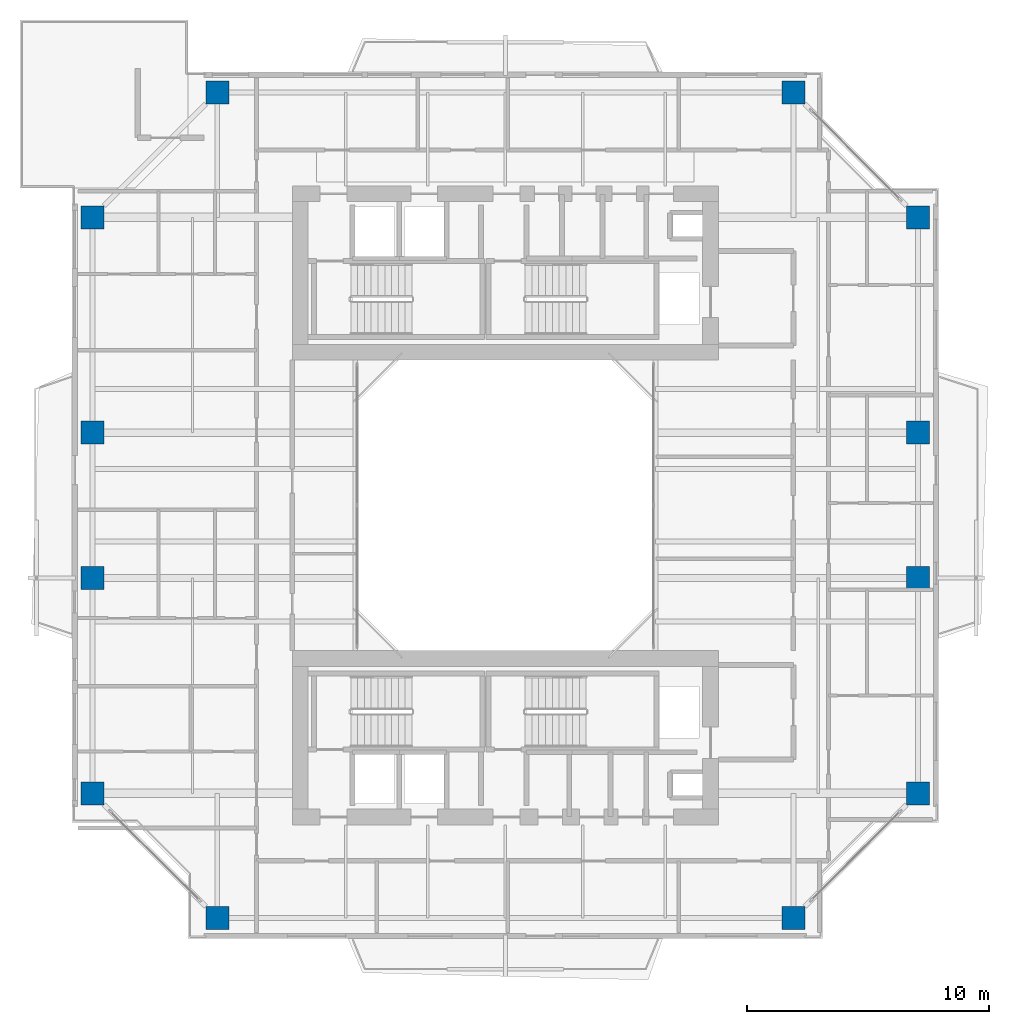
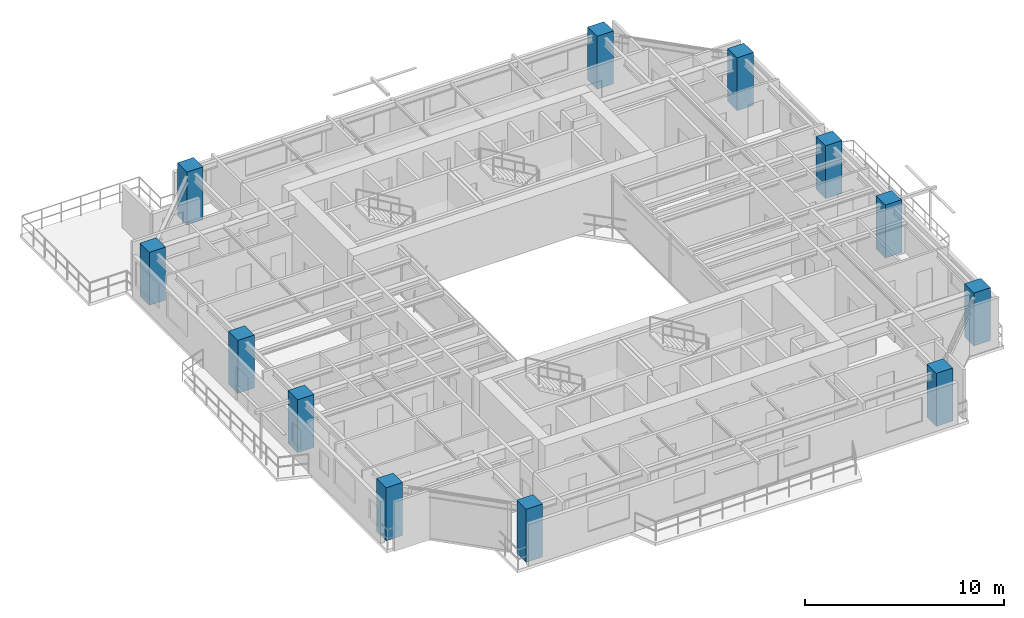
# One storey, part 1 of 18: 12 columns.
"""IFC4 building model written with IfcOpenShell, lengths in metres."""

from ifc_helpers import new_model, si_unit, direction, frame, origin, origin_2d, place, context, subcontext, project, spatial, rectangle, extrude, source, transform, mapped, material, material_profile, profile_set, type_object, element, save


model = new_model("IFC4")

# Units and contexts
model_context = context("Model", 3, precision=1e-05, world=origin(), true_north=direction((0.0, 1.0)))
body_context = subcontext(model_context, "Body", "Model", "MODEL_VIEW")
ifc_project = project(units=[si_unit("LENGTHUNIT", "METRE"), si_unit("AREAUNIT", "SQUARE_METRE"), si_unit("VOLUMEUNIT", "CUBIC_METRE"), si_unit("PLANEANGLEUNIT", "RADIAN"), si_unit("MASSUNIT", "GRAM", prefix="KILO"), si_unit("THERMODYNAMICTEMPERATUREUNIT", "KELVIN"), si_unit("POWERUNIT", "WATT")], contexts=[model_context])

# Site, building, storey
site_placement = place(None, origin())
site = spatial("IfcSite", under=ifc_project, at=site_placement, CompositionType="ELEMENT")
building_placement = place(site_placement, origin())
building = spatial("IfcBuilding", under=site, at=building_placement, Name="Qiaomeng Ring Towers", CompositionType="ELEMENT")
storey_placement = place(building_placement, frame((0.0, 0.0, 182.75)))
storey = spatial("IfcBuildingStorey", under=building, at=storey_placement, Name="L53", CompositionType="ELEMENT", Elevation=182.75)

# Columns
ifc_material = material(Name="Concrete C50", Category="concrete")
ifc_material_profile = material_profile(ifc_material, rectangle(XDim=0.949951171875, YDim=0.949951171875, at=origin_2d()), Name="RC COL 950x950")
ifc_profile_set = profile_set([ifc_material_profile], Name="Concrete C50")
column_type = type_object("IfcColumnType", Name="STR-COL-950-C50", PredefinedType="COLUMN", material=ifc_profile_set)
shared_shape = source(origin(), body_context, "Body", "SweptSolid", [
    extrude(rectangle(XDim=0.949951171875, YDim=0.949951171875, at=origin_2d()), origin(), (0.0, 0.0, 1.0), 3.25),
])
for number, where, z_axis, x_axis, name in (
    (1, (7.10009765625, 5.949951171875, 0.0), (0.0, 0.0, 1.0), (1.0, 0.0, 0.0), "L53 column STR-COL-L53-T1-S1"),
    (2, (30.89990234375, 5.949951171875, 0.0), (0.0, 0.0, 1.0), (1.0, 0.0, 0.0), "L53 column STR-COL-L53-T1-S2"),
    (3, (36.050048828125, 11.10009765625, 0.0), (0.0, 0.0, 1.0), (1.0, 0.0, 0.0), "L53 column STR-COL-L53-T1-E1"),
    (4, (36.050048828125, 20.0, 0.0), (0.0, 0.0, 1.0), (1.0, 0.0, 0.0), "L53 column STR-COL-L53-T1-E2"),
    (5, (36.050048828125, 26.0, 0.0), (0.0, 0.0, 1.0), (1.0, 0.0, 0.0), "L53 column STR-COL-L53-T1-E3"),
    (6, (36.050048828125, 34.89990234375, 0.0), (0.0, 0.0, 1.0), (1.0, 0.0, 0.0), "L53 column STR-COL-L53-T1-E4"),
    (7, (30.89990234375, 40.050048828125, 0.0), (0.0, 0.0, 1.0), (1.0, 0.0, 0.0), "L53 column STR-COL-L53-T1-N2"),
    (8, (7.10009765625, 40.050048828125, 0.0), (0.0, 0.0, 1.0), (1.0, 0.0, 0.0), "L53 column STR-COL-L53-T1-N1"),
    (9, (1.949951171875, 34.89990234375, 0.0), (0.0, 0.0, 1.0), (1.0, 0.0, 0.0), "L53 column STR-COL-L53-T1-W4"),
    (10, (1.949951171875, 26.0, 0.0), (0.0, 0.0, 1.0), (1.0, 0.0, 0.0), "L53 column STR-COL-L53-T1-W3"),
    (11, (1.949951171875, 20.0, 0.0), (0.0, 0.0, 1.0), (1.0, 0.0, 0.0), "L53 column STR-COL-L53-T1-W2"),
    (12, (1.949951171875, 11.10009765625, 0.0), (0.0, 0.0, 1.0), (1.0, 0.0, 0.0), "L53 column STR-COL-L53-T1-W1"),
):
    element("IfcColumn", number, at=place(storey_placement, frame(where, z_axis=z_axis, x_axis=x_axis)), inside=storey, type_object=column_type, Name=name, PredefinedType="COLUMN", context=body_context, shape_type="MappedRepresentation", body=[
        mapped(shared_shape, transform((0.0, 0.0, 0.0), x_axis=(1.0, 0.0, 0.0), y_axis=(0.0, 1.0, 0.0), z_axis=(0.0, 0.0, 1.0), scale=1.0)),
    ])

save(model, "model.ifc")
